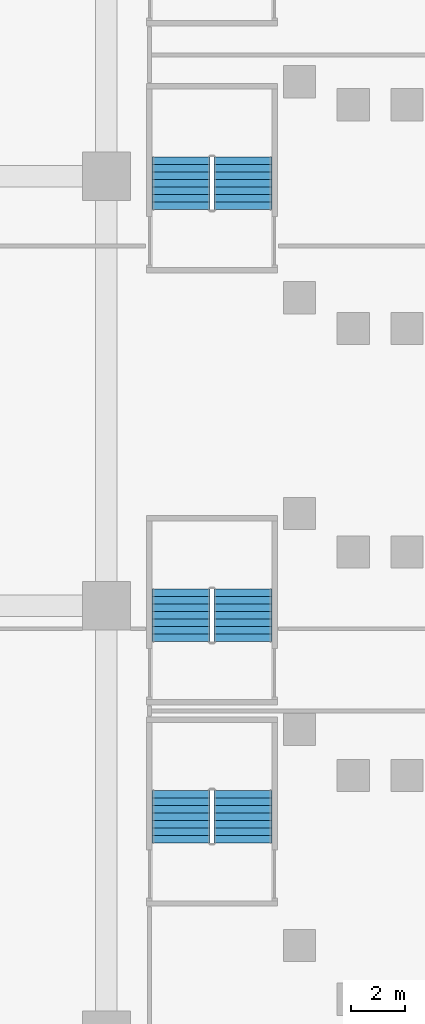
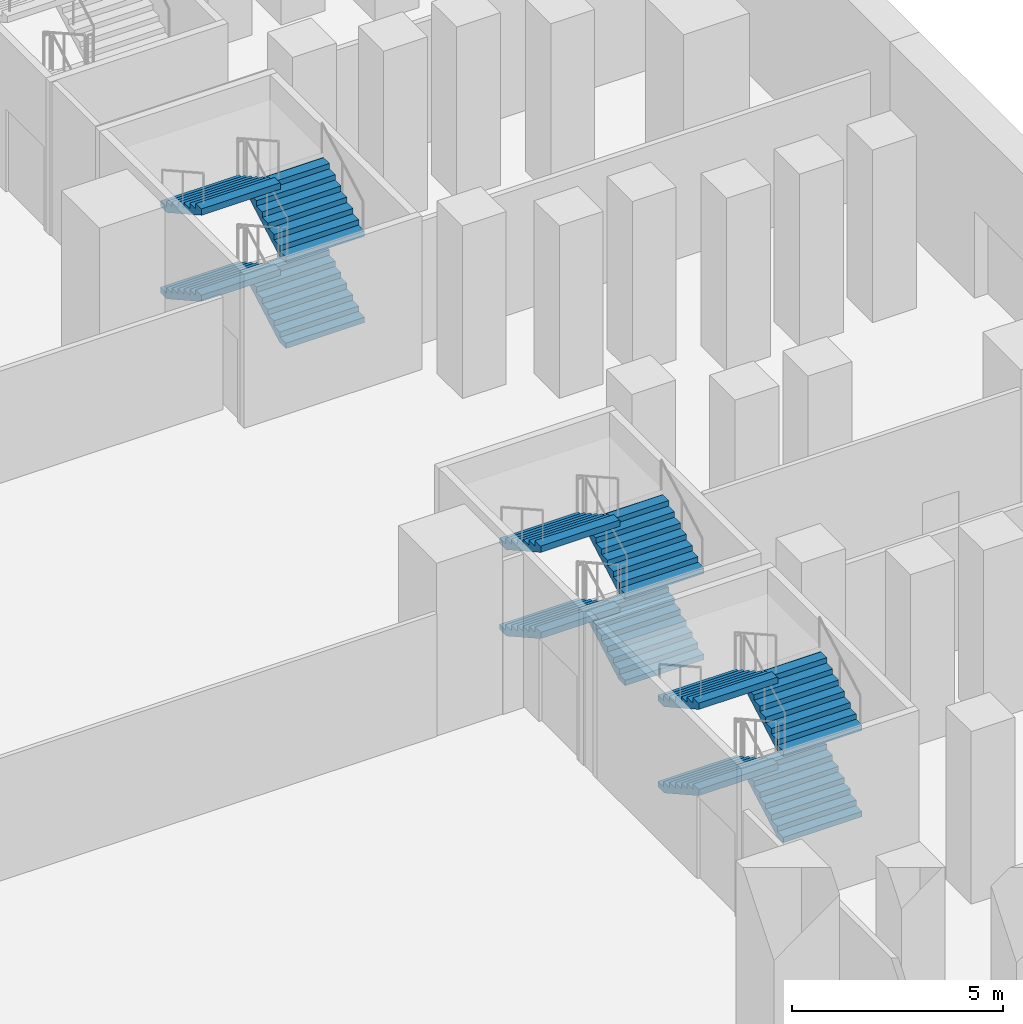
# One storey, part 16 of 24: 12 stair flights, 3 elements without a shape of their own.
"""IFC4 building model written with IfcOpenShell, lengths in metres."""

import ifcopenshell
import ifcopenshell.guid

model = None  # the IFC model being written
_history = None  # IfcOwnerHistory: only IFC2X3 demands one
_inside = {}  # id of a spatial element -> (the spatial element, [elements in it])
_under = {}  # id of a project, library or spatial element -> (it, [spatial elements below it])
_declared = {}  # id of a project -> (the project, [libraries it declares])
_typed = {}  # id of a type object -> (the type object, [elements of that type])
_made_of = {}  # id of a material, layer set ... -> (it, [elements and type objects made of it])


def new_model(schema):
    """Start an empty IFC model of exactly this schema.

    Asked for "IFC4X3", IfcOpenShell would pick the latest addendum, in which some entities
    have other attributes; the version numbers below select the first issue.
    IFC2X3 requires an IfcOwnerHistory on every rooted entity: one is made here for all.
    """
    global model, _history
    if schema == "IFC4X3":
        model = ifcopenshell.file(schema_version=(4, 3, 0, 0))
    else:
        model = ifcopenshell.file(schema=schema)
    _inside.clear()
    _under.clear()
    _declared.clear()
    _typed.clear()
    _made_of.clear()
    _history = None
    if model.schema == "IFC2X3":
        org = make("IfcOrganization", Name="unknown")
        user = make(
            "IfcPersonAndOrganization",
            ThePerson=make("IfcPerson", FamilyName="unknown"),
            TheOrganization=org,
        )
        app = make(
            "IfcApplication",
            ApplicationDeveloper=org,
            Version="unknown",
            ApplicationFullName="unknown",
            ApplicationIdentifier="unknown",
        )
        _history = make(
            "IfcOwnerHistory",
            OwningUser=user,
            OwningApplication=app,
            ChangeAction="ADDED",
            CreationDate=0,
        )
    return model


def make(cls, **values):
    """One entity of the class cls with the attributes given. An attribute that is None is left unset."""
    return model.create_entity(
        cls, **{name: value for name, value in values.items() if value is not None}
    )


def rooted(cls, **values):
    """An entity with a GlobalId (a new one), such as an element, a storey or a relation."""
    return make(cls, GlobalId=ifcopenshell.guid.new(), OwnerHistory=_history, **values)


def si_unit(unit_type, name, prefix=None):
    """IfcSIUnit, for example si_unit("LENGTHUNIT", "METRE", prefix="MILLI")."""
    return make("IfcSIUnit", UnitType=unit_type, Prefix=prefix, Name=name)


def assignment(units):
    """IfcUnitAssignment: the units of a project."""
    return None if units is None else make("IfcUnitAssignment", Units=units)


def point(xyz):
    """IfcCartesianPoint."""
    return None if xyz is None else make("IfcCartesianPoint", Coordinates=xyz)


def direction(xyz):
    """IfcDirection."""
    return None if xyz is None else make("IfcDirection", DirectionRatios=xyz)


def frame(location, z_axis=None, x_axis=None):
    """IfcAxis2Placement3D, a coordinate frame: its origin and axes. An axis left out is left unset."""
    return make(
        "IfcAxis2Placement3D",
        Location=point(location),
        Axis=direction(z_axis),
        RefDirection=direction(x_axis),
    )


def origin():
    """The frame at (0, 0, 0) with its axes left unset."""
    return frame((0.0, 0.0, 0.0))


def place(relative_to, where):
    """IfcLocalPlacement: puts the frame where relative to a parent placement (None: the world)."""
    return make(
        "IfcLocalPlacement", PlacementRelTo=relative_to, RelativePlacement=where
    )


def context(
    kind, dimensions, precision=None, world=None, true_north=None, identifier=None
):
    """IfcGeometricRepresentationContext, for example the 3D "Model" context."""
    return make(
        "IfcGeometricRepresentationContext",
        ContextIdentifier=identifier,
        ContextType=kind,
        CoordinateSpaceDimension=dimensions,
        Precision=precision,
        WorldCoordinateSystem=world,
        TrueNorth=true_north,
    )


def subcontext(parent, identifier, kind, view, scale=None):
    """IfcGeometricRepresentationSubContext, for example "Body" below "Model"."""
    return make(
        "IfcGeometricRepresentationSubContext",
        ContextIdentifier=identifier,
        ContextType=kind,
        ParentContext=parent,
        TargetScale=scale,
        TargetView=view,
    )


def project(units=None, contexts=None):
    """IfcProject with its units and contexts."""
    return rooted(
        "IfcProject",
        Name="project",
        RepresentationContexts=contexts,
        UnitsInContext=assignment(units),
    )


def spatial(cls, under=None, at=None, **own):
    """A site, building, storey or space (cls), placed at a placement, below another one or the project."""
    s = rooted(cls, ObjectPlacement=at, **own)
    if under is not None:
        _under.setdefault(under.id(), (under, []))[1].append(s)
    return s


def faces_of(points, faces, orient=None, outer=None):
    """IfcFace entities. A face is a list of loops; a loop is a list of indices into points, from 0.

    orient and outer hold one flag for each loop. By default every Orientation is true, the
    first loop of a face is its IfcFaceOuterBound and the others are IfcFaceBound.
    """
    made = []
    for i, loops in enumerate(faces):
        bounds = []
        for j, loop in enumerate(loops):
            is_outer = j == 0 if outer is None else outer[i][j]
            bounds.append(
                make(
                    "IfcFaceOuterBound" if is_outer else "IfcFaceBound",
                    Bound=make("IfcPolyLoop", Polygon=[points[k] for k in loop]),
                    Orientation=True if orient is None else orient[i][j],
                )
            )
        made.append(make("IfcFace", Bounds=bounds))
    return made


def faceted_brep(points, faces, orient=None, outer=None, voids=None):
    """IfcFacetedBrep: a solid bounded by flat faces; with voids (closed shells), ...WithVoids."""
    shared = [point(p) for p in points]
    hull = make("IfcClosedShell", CfsFaces=faces_of(shared, faces, orient, outer))
    if voids is None:
        return make("IfcFacetedBrep", Outer=hull)
    return make(
        "IfcFacetedBrepWithVoids",
        Outer=hull,
        Voids=[
            make(cls, CfsFaces=faces_of(shared, fs, o, b)) for cls, fs, o, b in voids
        ],
    )


def shape(context_of_items, identifier, shape_type, items):
    """IfcShapeRepresentation: the items that make up one representation, for example the "Body"."""
    return make(
        "IfcShapeRepresentation",
        ContextOfItems=context_of_items,
        RepresentationIdentifier=identifier,
        RepresentationType=shape_type,
        Items=items,
    )


def source(mapping_origin, context_of_items, identifier, shape_type, items):
    """IfcRepresentationMap: a shape defined once, which mapped items show again and again."""
    return make(
        "IfcRepresentationMap",
        MappingOrigin=mapping_origin,
        MappedRepresentation=shape(context_of_items, identifier, shape_type, items),
    )


def transform(
    local_origin,
    x_axis=None,
    y_axis=None,
    z_axis=None,
    scale=None,
    scale2=None,
    scale3=None,
    uniform=True,
):
    """IfcCartesianTransformationOperator3D, or its non-uniform kind. x_axis, y_axis, z_axis: its Axis1, 2, 3."""
    if uniform:
        return make(
            "IfcCartesianTransformationOperator3D",
            Axis1=direction(x_axis),
            Axis2=direction(y_axis),
            LocalOrigin=point(local_origin),
            Scale=scale,
            Axis3=direction(z_axis),
        )
    return make(
        "IfcCartesianTransformationOperator3DnonUniform",
        Axis1=direction(x_axis),
        Axis2=direction(y_axis),
        LocalOrigin=point(local_origin),
        Scale=scale,
        Axis3=direction(z_axis),
        Scale2=scale2,
        Scale3=scale3,
    )


def mapped(mapping_source, mapping_target):
    """IfcMappedItem: shows the shape of a source again, moved by a transform."""
    return make(
        "IfcMappedItem", MappingSource=mapping_source, MappingTarget=mapping_target
    )


def material(Name=None, Category=None):
    """IfcMaterial."""
    return make("IfcMaterial", Name=Name, Category=Category)


def made_of(thing, what):
    """Note that an element or type object is made of a material, layer set ...; save() writes the relation."""
    if what is not None:
        _made_of.setdefault(what.id(), (what, []))[1].append(thing)
    return thing


def type_object(cls, material=None, **own):
    """A type object (cls), such as IfcWallType, which elements share."""
    return made_of(rooted(cls, **own), material)


def element(
    cls,
    number,
    at=None,
    inside=None,
    cuts=None,
    type_object=None,
    material=None,
    context=None,
    identifier="Body",
    shape_type=None,
    held_by="IfcProductDefinitionShape",
    body=None,
    shapes=None,
    **own,
):
    """One element of the class cls, such as IfcWall. Its Tag is "e" and its number.

    at: its placement. inside: the storey or other place that contains it. cuts: it is an
    opening in that element (IfcRelVoidsElement). A single representation is given by context,
    identifier, shape_type and body (its items); several are given by shapes. held_by: the class
    of the entity that holds the representations. save() writes the other relations.
    """
    e = rooted(cls, Tag="e%d" % number, ObjectPlacement=at, **own)
    if body is not None:
        shapes = [shape(context, identifier, shape_type, body)]
    if shapes is not None:
        e.Representation = make(held_by, Representations=shapes)
    if inside is not None:
        _inside.setdefault(inside.id(), (inside, []))[1].append(e)
    if cuts is not None:
        rooted(
            "IfcRelVoidsElement", RelatingBuildingElement=cuts, RelatedOpeningElement=e
        )
    if type_object is not None:
        _typed.setdefault(type_object.id(), (type_object, []))[1].append(e)
    return made_of(e, material)


def aggregate(whole, parts):
    """IfcRelAggregates: a whole, such as a stair, and the parts it consists of."""
    return rooted("IfcRelAggregates", RelatingObject=whole, RelatedObjects=parts)


def save(model, path):
    """Write the relations noted so far, then the file.

    IfcRelAggregates (storeys below a building ...), IfcRelContainedInSpatialStructure (elements
    in a storey), IfcRelDefinesByType, IfcRelAssociatesMaterial and IfcRelDeclares: one each for
    every whole, place, type object, material and project.
    """
    for whole, parts in _under.values():
        aggregate(whole, parts)
    for where, things in _inside.values():
        rooted(
            "IfcRelContainedInSpatialStructure",
            RelatedElements=things,
            RelatingStructure=where,
        )
    for kind, things in _typed.values():
        rooted("IfcRelDefinesByType", RelatedObjects=things, RelatingType=kind)
    for what, things in _made_of.values():
        rooted("IfcRelAssociatesMaterial", RelatedObjects=things, RelatingMaterial=what)
    for by, libraries in _declared.values():
        rooted("IfcRelDeclares", RelatingContext=by, RelatedDefinitions=libraries)
    model.write(path)


model = new_model("IFC4")

# Units and contexts
model_context = context("Model", 3, precision=1e-05, world=origin(), true_north=direction((0.0, 1.0)))
body_context = subcontext(model_context, "Body", "Model", "MODEL_VIEW")
ifc_project = project(units=[si_unit("LENGTHUNIT", "METRE"), si_unit("AREAUNIT", "SQUARE_METRE"), si_unit("VOLUMEUNIT", "CUBIC_METRE"), si_unit("PLANEANGLEUNIT", "RADIAN"), si_unit("MASSUNIT", "GRAM", prefix="KILO")], contexts=[model_context])

# Site, building, storey
site_placement = place(None, origin())
site = spatial("IfcSite", under=ifc_project, at=site_placement, CompositionType="ELEMENT")
building_placement = place(site_placement, origin())
building = spatial("IfcBuilding", under=site, at=building_placement, Name="Calabash Gate Tower", CompositionType="ELEMENT")
storey_placement = place(building_placement, frame((0.0, 0.0, -5.0)))
storey = spatial("IfcBuildingStorey", under=building, at=storey_placement, Name="B1", CompositionType="ELEMENT", Elevation=-5.0)

# Stair, stair flights
ifc_material_1 = material(Name="Concrete C40/50", Category="concrete")
stair_type = type_object("IfcStairType", Name="Public stair 32 risers of 156.2 mm", PredefinedType="HALF_TURN_STAIR", material=ifc_material_1)
stair_1_placement = place(storey_placement, origin())
stair_1 = element("IfcStair", 1, at=stair_1_placement, inside=storey, type_object=stair_type, Name="B1 Public Stair PS6", PredefinedType="HALF_TURN_STAIR")
ifc_material_2 = material(Name="Concrete C40/50", Category="concrete")
stair_flight_type = type_object("IfcStairFlightType", Name="Exit stair flight SFL", PredefinedType="STRAIGHT", material=ifc_material_2)
shared_shape = source(origin(), body_context, "Body", "Brep", [
    faceted_brep([(-0.0009765625, -1.080078125, 0.0), (0.306884765625, -1.080078125, 0.0), (1.9541015625, -1.080078125, 0.921875), (-0.0009765625, 1.080078125, 0.0), (1.9541015625, 1.080078125, 0.921875), (0.306884765625, 1.080078125, 0.0), (1.9541015625, -1.080078125, 1.105712890625), (1.952880859375, -1.080078125, 1.105712890625), (1.952880859375, 1.080078125, 1.105712890625), (1.9541015625, 1.080078125, 1.105712890625), (1.952880859375, -1.080078125, 1.09375), (1.952880859375, 1.080078125, 1.09375), (1.674072265625, -1.080078125, 1.09375), (1.674072265625, 1.080078125, 1.09375), (1.674072265625, -1.080078125, 0.9375), (1.674072265625, 1.080078125, 0.9375), (1.39501953125, -1.080078125, 0.9375), (1.39501953125, 1.080078125, 0.9375), (1.39501953125, -1.080078125, 0.78125), (1.39501953125, 1.080078125, 0.78125), (1.115966796875, -1.080078125, 0.78125), (1.115966796875, -1.080078125, 0.625), (1.115966796875, 1.080078125, 0.625), (1.115966796875, 1.080078125, 0.78125), (0.8369140625, -1.080078125, 0.625), (0.8369140625, -1.080078125, 0.46875), (0.8369140625, 1.080078125, 0.46875), (0.8369140625, 1.080078125, 0.625), (0.55810546875, -1.080078125, 0.46875), (0.55810546875, -1.080078125, 0.3125), (0.55810546875, 1.080078125, 0.3125), (0.55810546875, 1.080078125, 0.46875), (0.279052734375, -1.080078125, 0.3125), (0.279052734375, -1.080078125, 0.15625), (0.279052734375, 1.080078125, 0.15625), (0.279052734375, 1.080078125, 0.3125), (-0.0009765625, -1.080078125, 0.15625), (-0.0009765625, 1.080078125, 0.15625), (0.306884765625, -0.431884765625, 0.0), (1.9541015625, -0.431884765625, 0.921875), (0.306884765625, -0.370361328125, 0.0), (1.9541015625, -0.370361328125, 0.921875), (0.306884765625, -0.30859375, 0.0), (1.9541015625, -0.30859375, 0.921875), (0.306884765625, -0.246826171875, 0.0), (1.9541015625, -0.246826171875, 0.921875), (0.306884765625, -0.18505859375, 0.0), (1.9541015625, -0.18505859375, 0.921875), (0.306884765625, -0.12353515625, 0.0), (1.9541015625, -0.12353515625, 0.921875), (0.306884765625, -0.061767578125, 0.0), (1.9541015625, -0.061767578125, 0.921875), (0.306884765625, 0.0, 0.0), (1.9541015625, 0.0, 0.921875), (0.306884765625, 0.061767578125, 0.0), (1.9541015625, 0.061767578125, 0.921875), (0.306884765625, 0.12353515625, 0.0), (1.9541015625, 0.12353515625, 0.921875), (0.306884765625, 0.18505859375, 0.0), (1.9541015625, 0.18505859375, 0.921875), (0.306884765625, 0.246826171875, 0.0), (1.9541015625, 0.246826171875, 0.921875), (0.306884765625, 0.30859375, 0.0), (1.9541015625, 0.30859375, 0.921875), (0.306884765625, 0.370361328125, 0.0), (1.9541015625, 0.370361328125, 0.921875), (0.306884765625, 0.431884765625, 0.0), (1.9541015625, 0.431884765625, 0.921875), (1.9541015625, -0.431884765625, 1.105712890625), (1.9541015625, -0.370361328125, 1.105712890625), (1.9541015625, -0.30859375, 1.105712890625), (1.9541015625, -0.246826171875, 1.105712890625), (1.9541015625, -0.18505859375, 1.105712890625), (1.9541015625, -0.12353515625, 1.105712890625), (1.9541015625, -0.061767578125, 1.105712890625), (1.9541015625, 0.0, 1.105712890625), (1.9541015625, 0.061767578125, 1.105712890625), (1.9541015625, 0.12353515625, 1.105712890625), (1.9541015625, 0.18505859375, 1.105712890625), (1.9541015625, 0.246826171875, 1.105712890625), (1.9541015625, 0.30859375, 1.105712890625), (1.9541015625, 0.370361328125, 1.105712890625), (1.9541015625, 0.431884765625, 1.105712890625), (1.952880859375, -0.431884765625, 1.105712890625), (1.952880859375, -0.370361328125, 1.105712890625), (1.952880859375, -0.30859375, 1.105712890625), (1.952880859375, -0.246826171875, 1.105712890625), (1.952880859375, -0.18505859375, 1.105712890625), (1.952880859375, -0.12353515625, 1.105712890625), (1.952880859375, -0.061767578125, 1.105712890625), (1.952880859375, 0.0, 1.105712890625), (1.952880859375, 0.061767578125, 1.105712890625), (1.952880859375, 0.12353515625, 1.105712890625), (1.952880859375, 0.18505859375, 1.105712890625), (1.952880859375, 0.246826171875, 1.105712890625), (1.952880859375, 0.30859375, 1.105712890625), (1.952880859375, 0.370361328125, 1.105712890625), (1.952880859375, 0.431884765625, 1.105712890625), (1.952880859375, -0.431884765625, 1.09375), (1.952880859375, -0.370361328125, 1.09375), (1.952880859375, -0.30859375, 1.09375), (1.952880859375, -0.246826171875, 1.09375), (1.952880859375, -0.18505859375, 1.09375), (1.952880859375, -0.12353515625, 1.09375), (1.952880859375, -0.061767578125, 1.09375), (1.952880859375, 0.0, 1.09375), (1.952880859375, 0.061767578125, 1.09375), (1.952880859375, 0.12353515625, 1.09375), (1.952880859375, 0.18505859375, 1.09375), (1.952880859375, 0.246826171875, 1.09375), (1.952880859375, 0.30859375, 1.09375), (1.952880859375, 0.370361328125, 1.09375), (1.952880859375, 0.431884765625, 1.09375), (1.674072265625, -0.431884765625, 1.09375), (1.674072265625, -0.370361328125, 1.09375), (1.674072265625, -0.30859375, 1.09375), (1.674072265625, -0.246826171875, 1.09375), (1.674072265625, -0.18505859375, 1.09375), (1.674072265625, -0.12353515625, 1.09375), (1.674072265625, -0.061767578125, 1.09375), (1.674072265625, 0.0, 1.09375), (1.674072265625, 0.061767578125, 1.09375), (1.674072265625, 0.12353515625, 1.09375), (1.674072265625, 0.18505859375, 1.09375), (1.674072265625, 0.246826171875, 1.09375), (1.674072265625, 0.30859375, 1.09375), (1.674072265625, 0.370361328125, 1.09375), (1.674072265625, 0.431884765625, 1.09375), (1.674072265625, -0.431884765625, 0.9375), (1.674072265625, -0.370361328125, 0.9375), (1.674072265625, -0.30859375, 0.9375), (1.674072265625, -0.246826171875, 0.9375), (1.674072265625, -0.18505859375, 0.9375), (1.674072265625, -0.12353515625, 0.9375), (1.674072265625, -0.061767578125, 0.9375), (1.674072265625, 0.0, 0.9375), (1.674072265625, 0.061767578125, 0.9375), (1.674072265625, 0.12353515625, 0.9375), (1.674072265625, 0.18505859375, 0.9375), (1.674072265625, 0.246826171875, 0.9375), (1.674072265625, 0.30859375, 0.9375), (1.674072265625, 0.370361328125, 0.9375), (1.674072265625, 0.431884765625, 0.9375), (1.39501953125, -0.431884765625, 0.9375), (1.39501953125, -0.370361328125, 0.9375), (1.39501953125, -0.30859375, 0.9375), (1.39501953125, -0.246826171875, 0.9375), (1.39501953125, -0.18505859375, 0.9375), (1.39501953125, -0.12353515625, 0.9375), (1.39501953125, -0.061767578125, 0.9375), (1.39501953125, 0.0, 0.9375), (1.39501953125, 0.061767578125, 0.9375), (1.39501953125, 0.12353515625, 0.9375), (1.39501953125, 0.18505859375, 0.9375), (1.39501953125, 0.246826171875, 0.9375), (1.39501953125, 0.30859375, 0.9375), (1.39501953125, 0.370361328125, 0.9375), (1.39501953125, 0.431884765625, 0.9375), (1.39501953125, -0.431884765625, 0.78125), (1.39501953125, -0.370361328125, 0.78125), (1.39501953125, -0.30859375, 0.78125), (1.39501953125, -0.246826171875, 0.78125), (1.39501953125, -0.18505859375, 0.78125), (1.39501953125, -0.12353515625, 0.78125), (1.39501953125, -0.061767578125, 0.78125), (1.39501953125, 0.0, 0.78125), (1.39501953125, 0.061767578125, 0.78125), (1.39501953125, 0.12353515625, 0.78125), (1.39501953125, 0.18505859375, 0.78125), (1.39501953125, 0.246826171875, 0.78125), (1.39501953125, 0.30859375, 0.78125), (1.39501953125, 0.370361328125, 0.78125), (1.39501953125, 0.431884765625, 0.78125), (1.115966796875, -0.431884765625, 0.78125), (1.115966796875, -0.370361328125, 0.78125), (1.115966796875, -0.30859375, 0.78125), (1.115966796875, -0.246826171875, 0.78125), (1.115966796875, -0.18505859375, 0.78125), (1.115966796875, -0.12353515625, 0.78125), (1.115966796875, -0.061767578125, 0.78125), (1.115966796875, 0.0, 0.78125), (1.115966796875, 0.061767578125, 0.78125), (1.115966796875, 0.12353515625, 0.78125), (1.115966796875, 0.18505859375, 0.78125), (1.115966796875, 0.246826171875, 0.78125), (1.115966796875, 0.30859375, 0.78125), (1.115966796875, 0.370361328125, 0.78125), (1.115966796875, 0.431884765625, 0.78125), (1.115966796875, -0.431884765625, 0.625), (1.115966796875, -0.370361328125, 0.625), (1.115966796875, -0.30859375, 0.625), (1.115966796875, -0.246826171875, 0.625), (1.115966796875, -0.18505859375, 0.625), (1.115966796875, -0.12353515625, 0.625), (1.115966796875, -0.061767578125, 0.625), (1.115966796875, 0.0, 0.625), (1.115966796875, 0.061767578125, 0.625), (1.115966796875, 0.12353515625, 0.625), (1.115966796875, 0.18505859375, 0.625), (1.115966796875, 0.246826171875, 0.625), (1.115966796875, 0.30859375, 0.625), (1.115966796875, 0.370361328125, 0.625), (1.115966796875, 0.431884765625, 0.625), (0.8369140625, -0.431884765625, 0.625), (0.8369140625, -0.370361328125, 0.625), (0.8369140625, -0.30859375, 0.625), (0.8369140625, -0.246826171875, 0.625), (0.8369140625, -0.18505859375, 0.625), (0.8369140625, -0.12353515625, 0.625), (0.8369140625, -0.061767578125, 0.625), (0.8369140625, 0.0, 0.625), (0.8369140625, 0.061767578125, 0.625), (0.8369140625, 0.12353515625, 0.625), (0.8369140625, 0.18505859375, 0.625), (0.8369140625, 0.246826171875, 0.625), (0.8369140625, 0.30859375, 0.625), (0.8369140625, 0.370361328125, 0.625), (0.8369140625, 0.431884765625, 0.625), (0.8369140625, -0.431884765625, 0.46875), (0.8369140625, -0.370361328125, 0.46875), (0.8369140625, -0.30859375, 0.46875), (0.8369140625, -0.246826171875, 0.46875), (0.8369140625, -0.18505859375, 0.46875), (0.8369140625, -0.12353515625, 0.46875), (0.8369140625, -0.061767578125, 0.46875), (0.8369140625, 0.0, 0.46875), (0.8369140625, 0.061767578125, 0.46875), (0.8369140625, 0.12353515625, 0.46875), (0.8369140625, 0.18505859375, 0.46875), (0.8369140625, 0.246826171875, 0.46875), (0.8369140625, 0.30859375, 0.46875), (0.8369140625, 0.370361328125, 0.46875), (0.8369140625, 0.431884765625, 0.46875), (0.55810546875, -0.431884765625, 0.46875), (0.55810546875, -0.370361328125, 0.46875), (0.55810546875, -0.30859375, 0.46875), (0.55810546875, -0.246826171875, 0.46875), (0.55810546875, -0.18505859375, 0.46875), (0.55810546875, -0.12353515625, 0.46875), (0.55810546875, -0.061767578125, 0.46875), (0.55810546875, 0.0, 0.46875), (0.55810546875, 0.061767578125, 0.46875), (0.55810546875, 0.12353515625, 0.46875), (0.55810546875, 0.18505859375, 0.46875), (0.55810546875, 0.246826171875, 0.46875), (0.55810546875, 0.30859375, 0.46875), (0.55810546875, 0.370361328125, 0.46875), (0.55810546875, 0.431884765625, 0.46875), (0.55810546875, -0.431884765625, 0.3125), (0.55810546875, -0.370361328125, 0.3125), (0.55810546875, -0.30859375, 0.3125), (0.55810546875, -0.246826171875, 0.3125), (0.55810546875, -0.18505859375, 0.3125), (0.55810546875, -0.12353515625, 0.3125), (0.55810546875, -0.061767578125, 0.3125), (0.55810546875, 0.0, 0.3125), (0.55810546875, 0.061767578125, 0.3125), (0.55810546875, 0.12353515625, 0.3125), (0.55810546875, 0.18505859375, 0.3125), (0.55810546875, 0.246826171875, 0.3125), (0.55810546875, 0.30859375, 0.3125), (0.55810546875, 0.370361328125, 0.3125), (0.55810546875, 0.431884765625, 0.3125), (0.279052734375, -0.431884765625, 0.3125), (0.279052734375, -0.370361328125, 0.3125), (0.279052734375, -0.30859375, 0.3125), (0.279052734375, -0.246826171875, 0.3125), (0.279052734375, -0.18505859375, 0.3125), (0.279052734375, -0.12353515625, 0.3125), (0.279052734375, -0.061767578125, 0.3125), (0.279052734375, 0.0, 0.3125), (0.279052734375, 0.061767578125, 0.3125), (0.279052734375, 0.12353515625, 0.3125), (0.279052734375, 0.18505859375, 0.3125), (0.279052734375, 0.246826171875, 0.3125), (0.279052734375, 0.30859375, 0.3125), (0.279052734375, 0.370361328125, 0.3125), (0.279052734375, 0.431884765625, 0.3125), (0.279052734375, -0.431884765625, 0.15625), (0.279052734375, -0.370361328125, 0.15625), (0.279052734375, -0.30859375, 0.15625), (0.279052734375, -0.246826171875, 0.15625), (0.279052734375, -0.18505859375, 0.15625), (0.279052734375, -0.12353515625, 0.15625), (0.279052734375, -0.061767578125, 0.15625), (0.279052734375, 0.0, 0.15625), (0.279052734375, 0.061767578125, 0.15625), (0.279052734375, 0.12353515625, 0.15625), (0.279052734375, 0.18505859375, 0.15625), (0.279052734375, 0.246826171875, 0.15625), (0.279052734375, 0.30859375, 0.15625), (0.279052734375, 0.370361328125, 0.15625), (0.279052734375, 0.431884765625, 0.15625), (-0.0009765625, -0.431884765625, 0.15625), (-0.0009765625, -0.370361328125, 0.15625), (-0.0009765625, -0.30859375, 0.15625), (-0.0009765625, -0.246826171875, 0.15625), (-0.0009765625, -0.18505859375, 0.15625), (-0.0009765625, -0.12353515625, 0.15625), (-0.0009765625, -0.061767578125, 0.15625), (-0.0009765625, 0.0, 0.15625), (-0.0009765625, 0.061767578125, 0.15625), (-0.0009765625, 0.12353515625, 0.15625), (-0.0009765625, 0.18505859375, 0.15625), (-0.0009765625, 0.246826171875, 0.15625), (-0.0009765625, 0.30859375, 0.15625), (-0.0009765625, 0.370361328125, 0.15625), (-0.0009765625, 0.431884765625, 0.15625), (-0.0009765625, -0.431884765625, 0.0), (-0.0009765625, -0.370361328125, 0.0), (-0.0009765625, -0.30859375, 0.0), (-0.0009765625, -0.246826171875, 0.0), (-0.0009765625, -0.18505859375, 0.0), (-0.0009765625, -0.12353515625, 0.0), (-0.0009765625, -0.061767578125, 0.0), (-0.0009765625, 0.0, 0.0), (-0.0009765625, 0.061767578125, 0.0), (-0.0009765625, 0.12353515625, 0.0), (-0.0009765625, 0.18505859375, 0.0), (-0.0009765625, 0.246826171875, 0.0), (-0.0009765625, 0.30859375, 0.0), (-0.0009765625, 0.370361328125, 0.0), (-0.0009765625, 0.431884765625, 0.0)], [[[0, 1, 2]], [[3, 4, 5]], [[2, 6, 7]], [[4, 8, 9]], [[2, 7, 10]], [[4, 11, 8]], [[2, 10, 12]], [[4, 13, 11]], [[2, 12, 14]], [[4, 15, 13]], [[2, 14, 16]], [[4, 17, 15]], [[2, 16, 18]], [[4, 19, 17]], [[18, 20, 21]], [[19, 22, 23]], [[2, 18, 21]], [[4, 22, 19]], [[21, 24, 25]], [[22, 26, 27]], [[2, 21, 25]], [[4, 26, 22]], [[25, 28, 29]], [[26, 30, 31]], [[2, 25, 29]], [[4, 30, 26]], [[29, 32, 33]], [[30, 34, 35]], [[2, 29, 33]], [[4, 34, 30]], [[0, 2, 33]], [[3, 34, 4]], [[33, 36, 0]], [[34, 3, 37]], [[1, 38, 2]], [[38, 39, 2]], [[38, 40, 39]], [[40, 41, 39]], [[40, 42, 41]], [[42, 43, 41]], [[42, 44, 43]], [[44, 45, 43]], [[44, 46, 45]], [[46, 47, 45]], [[46, 48, 47]], [[48, 49, 47]], [[48, 50, 49]], [[50, 51, 49]], [[50, 52, 51]], [[52, 53, 51]], [[52, 54, 55]], [[52, 55, 53]], [[54, 56, 57]], [[54, 57, 55]], [[56, 58, 59]], [[56, 59, 57]], [[58, 60, 61]], [[58, 61, 59]], [[60, 62, 63]], [[60, 63, 61]], [[62, 64, 65]], [[62, 65, 63]], [[64, 66, 67]], [[64, 67, 65]], [[66, 5, 4]], [[66, 4, 67]], [[2, 39, 6]], [[39, 68, 6]], [[39, 41, 68]], [[41, 69, 68]], [[41, 43, 69]], [[43, 70, 69]], [[43, 45, 70]], [[45, 71, 70]], [[45, 47, 71]], [[47, 72, 71]], [[47, 49, 72]], [[49, 73, 72]], [[49, 51, 73]], [[51, 74, 73]], [[51, 53, 74]], [[53, 75, 74]], [[53, 55, 76]], [[53, 76, 75]], [[55, 57, 77]], [[55, 77, 76]], [[57, 59, 78]], [[57, 78, 77]], [[59, 61, 79]], [[59, 79, 78]], [[61, 63, 80]], [[61, 80, 79]], [[63, 65, 81]], [[63, 81, 80]], [[65, 67, 82]], [[65, 82, 81]], [[67, 4, 9]], [[67, 9, 82]], [[6, 68, 7]], [[68, 83, 7]], [[68, 69, 83]], [[69, 84, 83]], [[69, 70, 84]], [[70, 85, 84]], [[70, 71, 85]], [[71, 86, 85]], [[71, 72, 86]], [[72, 87, 86]], [[72, 73, 87]], [[73, 88, 87]], [[73, 74, 88]], [[74, 89, 88]], [[74, 75, 89]], [[75, 90, 89]], [[75, 76, 91]], [[75, 91, 90]], [[76, 77, 92]], [[76, 92, 91]], [[77, 78, 93]], [[77, 93, 92]], [[78, 79, 94]], [[78, 94, 93]], [[79, 80, 95]], [[79, 95, 94]], [[80, 81, 96]], [[80, 96, 95]], [[81, 82, 97]], [[81, 97, 96]], [[82, 9, 8]], [[82, 8, 97]], [[7, 83, 10]], [[83, 98, 10]], [[83, 84, 98]], [[84, 99, 98]], [[84, 85, 99]], [[85, 100, 99]], [[85, 86, 100]], [[86, 101, 100]], [[86, 87, 101]], [[87, 102, 101]], [[87, 88, 102]], [[88, 103, 102]], [[88, 89, 103]], [[89, 104, 103]], [[89, 90, 104]], [[90, 105, 104]], [[90, 91, 106]], [[90, 106, 105]], [[91, 92, 107]], [[91, 107, 106]], [[92, 93, 108]], [[92, 108, 107]], [[93, 94, 109]], [[93, 109, 108]], [[94, 95, 110]], [[94, 110, 109]], [[95, 96, 111]], [[95, 111, 110]], [[96, 97, 112]], [[96, 112, 111]], [[97, 8, 11]], [[97, 11, 112]], [[10, 98, 12]], [[98, 113, 12]], [[98, 99, 113]], [[99, 114, 113]], [[99, 100, 114]], [[100, 115, 114]], [[100, 101, 115]], [[101, 116, 115]], [[101, 102, 116]], [[102, 117, 116]], [[102, 103, 117]], [[103, 118, 117]], [[103, 104, 118]], [[104, 119, 118]], [[104, 105, 119]], [[105, 120, 119]], [[105, 106, 121]], [[105, 121, 120]], [[106, 107, 122]], [[106, 122, 121]], [[107, 108, 123]], [[107, 123, 122]], [[108, 109, 124]], [[108, 124, 123]], [[109, 110, 125]], [[109, 125, 124]], [[110, 111, 126]], [[110, 126, 125]], [[111, 112, 127]], [[111, 127, 126]], [[112, 11, 13]], [[112, 13, 127]], [[12, 113, 14]], [[113, 128, 14]], [[113, 114, 128]], [[114, 129, 128]], [[114, 115, 129]], [[115, 130, 129]], [[115, 116, 130]], [[116, 131, 130]], [[116, 117, 131]], [[117, 132, 131]], [[117, 118, 132]], [[118, 133, 132]], [[118, 119, 133]], [[119, 134, 133]], [[119, 120, 134]], [[120, 135, 134]], [[120, 121, 136]], [[120, 136, 135]], [[121, 122, 137]], [[121, 137, 136]], [[122, 123, 138]], [[122, 138, 137]], [[123, 124, 139]], [[123, 139, 138]], [[124, 125, 140]], [[124, 140, 139]], [[125, 126, 141]], [[125, 141, 140]], [[126, 127, 142]], [[126, 142, 141]], [[127, 13, 15]], [[127, 15, 142]], [[14, 128, 16]], [[128, 143, 16]], [[128, 129, 143]], [[129, 144, 143]], [[129, 130, 144]], [[130, 145, 144]], [[130, 131, 145]], [[131, 146, 145]], [[131, 132, 146]], [[132, 147, 146]], [[132, 133, 147]], [[133, 148, 147]], [[133, 134, 148]], [[134, 149, 148]], [[134, 135, 149]], [[135, 150, 149]], [[135, 136, 151]], [[135, 151, 150]], [[136, 137, 152]], [[136, 152, 151]], [[137, 138, 153]], [[137, 153, 152]], [[138, 139, 154]], [[138, 154, 153]], [[139, 140, 155]], [[139, 155, 154]], [[140, 141, 156]], [[140, 156, 155]], [[141, 142, 157]], [[141, 157, 156]], [[142, 15, 17]], [[142, 17, 157]], [[16, 143, 18]], [[143, 158, 18]], [[143, 144, 158]], [[144, 159, 158]], [[144, 145, 159]], [[145, 160, 159]], [[145, 146, 160]], [[146, 161, 160]], [[146, 147, 161]], [[147, 162, 161]], [[147, 148, 162]], [[148, 163, 162]], [[148, 149, 163]], [[149, 164, 163]], [[149, 150, 164]], [[150, 165, 164]], [[150, 151, 166]], [[150, 166, 165]], [[151, 152, 167]], [[151, 167, 166]], [[152, 153, 168]], [[152, 168, 167]], [[153, 154, 169]], [[153, 169, 168]], [[154, 155, 170]], [[154, 170, 169]], [[155, 156, 171]], [[155, 171, 170]], [[156, 157, 172]], [[156, 172, 171]], [[157, 17, 19]], [[157, 19, 172]], [[18, 158, 20]], [[158, 173, 20]], [[158, 159, 173]], [[159, 174, 173]], [[159, 160, 174]], [[160, 175, 174]], [[160, 161, 175]], [[161, 176, 175]], [[161, 162, 176]], [[162, 177, 176]], [[162, 163, 177]], [[163, 178, 177]], [[163, 164, 178]], [[164, 179, 178]], [[164, 165, 179]], [[165, 180, 179]], [[165, 166, 181]], [[165, 181, 180]], [[166, 167, 182]], [[166, 182, 181]], [[167, 168, 183]], [[167, 183, 182]], [[168, 169, 184]], [[168, 184, 183]], [[169, 170, 185]], [[169, 185, 184]], [[170, 171, 186]], [[170, 186, 185]], [[171, 172, 187]], [[171, 187, 186]], [[172, 19, 23]], [[172, 23, 187]], [[20, 173, 21]], [[173, 188, 21]], [[173, 174, 188]], [[174, 189, 188]], [[174, 175, 189]], [[175, 190, 189]], [[175, 176, 190]], [[176, 191, 190]], [[176, 177, 191]], [[177, 192, 191]], [[177, 178, 192]], [[178, 193, 192]], [[178, 179, 193]], [[179, 194, 193]], [[179, 180, 194]], [[180, 195, 194]], [[180, 181, 196]], [[180, 196, 195]], [[181, 182, 197]], [[181, 197, 196]], [[182, 183, 198]], [[182, 198, 197]], [[183, 184, 199]], [[183, 199, 198]], [[184, 185, 200]], [[184, 200, 199]], [[185, 186, 201]], [[185, 201, 200]], [[186, 187, 202]], [[186, 202, 201]], [[187, 23, 22]], [[187, 22, 202]], [[21, 188, 24]], [[188, 203, 24]], [[188, 189, 203]], [[189, 204, 203]], [[189, 190, 204]], [[190, 205, 204]], [[190, 191, 205]], [[191, 206, 205]], [[191, 192, 206]], [[192, 207, 206]], [[192, 193, 207]], [[193, 208, 207]], [[193, 194, 208]], [[194, 209, 208]], [[194, 195, 209]], [[195, 210, 209]], [[195, 196, 211]], [[195, 211, 210]], [[196, 197, 212]], [[196, 212, 211]], [[197, 198, 213]], [[197, 213, 212]], [[198, 199, 214]], [[198, 214, 213]], [[199, 200, 215]], [[199, 215, 214]], [[200, 201, 216]], [[200, 216, 215]], [[201, 202, 217]], [[201, 217, 216]], [[202, 22, 27]], [[202, 27, 217]], [[24, 203, 25]], [[203, 218, 25]], [[203, 204, 218]], [[204, 219, 218]], [[204, 205, 219]], [[205, 220, 219]], [[205, 206, 220]], [[206, 221, 220]], [[206, 207, 221]], [[207, 222, 221]], [[207, 208, 222]], [[208, 223, 222]], [[208, 209, 223]], [[209, 224, 223]], [[209, 210, 224]], [[210, 225, 224]], [[210, 211, 226]], [[210, 226, 225]], [[211, 212, 227]], [[211, 227, 226]], [[212, 213, 228]], [[212, 228, 227]], [[213, 214, 229]], [[213, 229, 228]], [[214, 215, 230]], [[214, 230, 229]], [[215, 216, 231]], [[215, 231, 230]], [[216, 217, 232]], [[216, 232, 231]], [[217, 27, 26]], [[217, 26, 232]], [[25, 218, 28]], [[218, 233, 28]], [[218, 219, 233]], [[219, 234, 233]], [[219, 220, 234]], [[220, 235, 234]], [[220, 221, 235]], [[221, 236, 235]], [[221, 222, 236]], [[222, 237, 236]], [[222, 223, 237]], [[223, 238, 237]], [[223, 224, 238]], [[224, 239, 238]], [[224, 225, 239]], [[225, 240, 239]], [[225, 226, 241]], [[225, 241, 240]], [[226, 227, 242]], [[226, 242, 241]], [[227, 228, 243]], [[227, 243, 242]], [[228, 229, 244]], [[228, 244, 243]], [[229, 230, 245]], [[229, 245, 244]], [[230, 231, 246]], [[230, 246, 245]], [[231, 232, 247]], [[231, 247, 246]], [[232, 26, 31]], [[232, 31, 247]], [[28, 233, 29]], [[233, 248, 29]], [[233, 234, 248]], [[234, 249, 248]], [[234, 235, 249]], [[235, 250, 249]], [[235, 236, 250]], [[236, 251, 250]], [[236, 237, 251]], [[237, 252, 251]], [[237, 238, 252]], [[238, 253, 252]], [[238, 239, 253]], [[239, 254, 253]], [[239, 240, 254]], [[240, 255, 254]], [[240, 241, 256]], [[240, 256, 255]], [[241, 242, 257]], [[241, 257, 256]], [[242, 243, 258]], [[242, 258, 257]], [[243, 244, 259]], [[243, 259, 258]], [[244, 245, 260]], [[244, 260, 259]], [[245, 246, 261]], [[245, 261, 260]], [[246, 247, 262]], [[246, 262, 261]], [[247, 31, 30]], [[247, 30, 262]], [[29, 248, 32]], [[248, 263, 32]], [[248, 249, 263]], [[249, 264, 263]], [[249, 250, 264]], [[250, 265, 264]], [[250, 251, 265]], [[251, 266, 265]], [[251, 252, 266]], [[252, 267, 266]], [[252, 253, 267]], [[253, 268, 267]], [[253, 254, 268]], [[254, 269, 268]], [[254, 255, 269]], [[255, 270, 269]], [[255, 256, 271]], [[255, 271, 270]], [[256, 257, 272]], [[256, 272, 271]], [[257, 258, 273]], [[257, 273, 272]], [[258, 259, 274]], [[258, 274, 273]], [[259, 260, 275]], [[259, 275, 274]], [[260, 261, 276]], [[260, 276, 275]], [[261, 262, 277]], [[261, 277, 276]], [[262, 30, 35]], [[262, 35, 277]], [[32, 263, 33]], [[263, 278, 33]], [[263, 264, 278]], [[264, 279, 278]], [[264, 265, 279]], [[265, 280, 279]], [[265, 266, 280]], [[266, 281, 280]], [[266, 267, 281]], [[267, 282, 281]], [[267, 268, 282]], [[268, 283, 282]], [[268, 269, 283]], [[269, 284, 283]], [[269, 270, 284]], [[270, 285, 284]], [[270, 271, 286]], [[270, 286, 285]], [[271, 272, 287]], [[271, 287, 286]], [[272, 273, 288]], [[272, 288, 287]], [[273, 274, 289]], [[273, 289, 288]], [[274, 275, 290]], [[274, 290, 289]], [[275, 276, 291]], [[275, 291, 290]], [[276, 277, 292]], [[276, 292, 291]], [[277, 35, 34]], [[277, 34, 292]], [[33, 278, 36]], [[278, 293, 36]], [[278, 279, 293]], [[279, 294, 293]], [[279, 280, 294]], [[280, 295, 294]], [[280, 281, 295]], [[281, 296, 295]], [[281, 282, 296]], [[282, 297, 296]], [[282, 283, 297]], [[283, 298, 297]], [[283, 284, 298]], [[284, 299, 298]], [[284, 285, 299]], [[285, 300, 299]], [[285, 286, 301]], [[285, 301, 300]], [[286, 287, 302]], [[286, 302, 301]], [[287, 288, 303]], [[287, 303, 302]], [[288, 289, 304]], [[288, 304, 303]], [[289, 290, 305]], [[289, 305, 304]], [[290, 291, 306]], [[290, 306, 305]], [[291, 292, 307]], [[291, 307, 306]], [[292, 34, 37]], [[292, 37, 307]], [[36, 293, 0]], [[293, 308, 0]], [[293, 294, 308]], [[294, 309, 308]], [[294, 295, 309]], [[295, 310, 309]], [[295, 296, 310]], [[296, 311, 310]], [[296, 297, 311]], [[297, 312, 311]], [[297, 298, 312]], [[298, 313, 312]], [[298, 299, 313]], [[299, 314, 313]], [[299, 300, 314]], [[300, 315, 314]], [[300, 301, 316]], [[300, 316, 315]], [[301, 302, 317]], [[301, 317, 316]], [[302, 303, 318]], [[302, 318, 317]], [[303, 304, 319]], [[303, 319, 318]], [[304, 305, 320]], [[304, 320, 319]], [[305, 306, 321]], [[305, 321, 320]], [[306, 307, 322]], [[306, 322, 321]], [[307, 37, 3]], [[307, 3, 322]], [[0, 308, 1]], [[308, 38, 1]], [[308, 309, 38]], [[309, 40, 38]], [[309, 310, 40]], [[310, 42, 40]], [[310, 311, 42]], [[311, 44, 42]], [[311, 312, 44]], [[312, 46, 44]], [[312, 313, 46]], [[313, 48, 46]], [[313, 314, 48]], [[314, 50, 48]], [[314, 315, 50]], [[315, 52, 50]], [[315, 316, 54]], [[315, 54, 52]], [[316, 317, 56]], [[316, 56, 54]], [[317, 318, 58]], [[317, 58, 56]], [[318, 319, 60]], [[318, 60, 58]], [[319, 320, 62]], [[319, 62, 60]], [[320, 321, 64]], [[320, 64, 62]], [[321, 322, 66]], [[321, 66, 64]], [[322, 3, 5]], [[322, 5, 66]]]),
])
stair_flight_1_placement = place(storey_placement, frame((37.090087890625, -32.840087890625, 0.0), z_axis=(0.0, 0.0, 1.0), x_axis=(0.0, 1.0, 0.0)))
stair_flight_1 = element("IfcStairFlight", 2, at=stair_flight_1_placement, type_object=stair_flight_type, Name="PS6 flight 1", NumberOfRisers=8, NumberOfTreads=7, PredefinedType="STRAIGHT", RiserHeight=0.15625, TreadLength=0.279, context=body_context, shape_type="MappedRepresentation", body=[
    mapped(shared_shape, transform((0.0, 0.0, 0.0), scale=1.0)),
])
stair_flight_2_placement = place(storey_placement, frame((34.780029296875, -30.886962890625, 1.25), z_axis=(0.0, 0.0, 1.0), x_axis=(0.0, -1.0, 0.0)))
stair_flight_2 = element("IfcStairFlight", 3, at=stair_flight_2_placement, type_object=stair_flight_type, Name="PS6 flight 2", NumberOfRisers=8, NumberOfTreads=7, PredefinedType="STRAIGHT", RiserHeight=0.15625, TreadLength=0.279, context=body_context, shape_type="MappedRepresentation", body=[
    mapped(shared_shape, transform((0.0, 0.0, 0.0), scale=1.0)),
])
stair_flight_3_placement = place(storey_placement, frame((37.090087890625, -32.840087890625, 2.5), z_axis=(0.0, 0.0, 1.0), x_axis=(0.0, 1.0, 0.0)))
stair_flight_3 = element("IfcStairFlight", 4, at=stair_flight_3_placement, type_object=stair_flight_type, Name="PS6 flight 3", NumberOfRisers=8, NumberOfTreads=7, PredefinedType="STRAIGHT", RiserHeight=0.15625, TreadLength=0.279, context=body_context, shape_type="MappedRepresentation", body=[
    mapped(shared_shape, transform((0.0, 0.0, 0.0), scale=1.0)),
])
stair_flight_4_placement = place(storey_placement, frame((34.780029296875, -30.886962890625, 3.75), z_axis=(0.0, 0.0, 1.0), x_axis=(0.0, -1.0, 0.0)))
stair_flight_4 = element("IfcStairFlight", 5, at=stair_flight_4_placement, type_object=stair_flight_type, Name="PS6 flight 4", NumberOfRisers=8, NumberOfTreads=7, PredefinedType="STRAIGHT", RiserHeight=0.15625, TreadLength=0.279, context=body_context, shape_type="MappedRepresentation", body=[
    mapped(shared_shape, transform((0.0, 0.0, 0.0), scale=1.0)),
])
aggregate(stair_1, [stair_flight_1, stair_flight_2, stair_flight_3, stair_flight_4])

stair_2_placement = place(storey_placement, origin())
stair_2 = element("IfcStair", 6, at=stair_2_placement, inside=storey, type_object=stair_type, Name="B1 Public Stair PS7", PredefinedType="HALF_TURN_STAIR")
stair_flight_5_placement = place(storey_placement, frame((37.090087890625, -25.340087890625, 0.0), z_axis=(0.0, 0.0, 1.0), x_axis=(0.0, 1.0, 0.0)))
stair_flight_5 = element("IfcStairFlight", 7, at=stair_flight_5_placement, type_object=stair_flight_type, Name="PS7 flight 1", NumberOfRisers=8, NumberOfTreads=7, PredefinedType="STRAIGHT", RiserHeight=0.15625, TreadLength=0.279, context=body_context, shape_type="MappedRepresentation", body=[
    mapped(shared_shape, transform((0.0, 0.0, 0.0), scale=1.0)),
])
stair_flight_6_placement = place(storey_placement, frame((34.780029296875, -23.386962890625, 1.25), z_axis=(0.0, 0.0, 1.0), x_axis=(0.0, -1.0, 0.0)))
stair_flight_6 = element("IfcStairFlight", 8, at=stair_flight_6_placement, type_object=stair_flight_type, Name="PS7 flight 2", NumberOfRisers=8, NumberOfTreads=7, PredefinedType="STRAIGHT", RiserHeight=0.15625, TreadLength=0.279, context=body_context, shape_type="MappedRepresentation", body=[
    mapped(shared_shape, transform((0.0, 0.0, 0.0), scale=1.0)),
])
stair_flight_7_placement = place(storey_placement, frame((37.090087890625, -25.340087890625, 2.5), z_axis=(0.0, 0.0, 1.0), x_axis=(0.0, 1.0, 0.0)))
stair_flight_7 = element("IfcStairFlight", 9, at=stair_flight_7_placement, type_object=stair_flight_type, Name="PS7 flight 3", NumberOfRisers=8, NumberOfTreads=7, PredefinedType="STRAIGHT", RiserHeight=0.15625, TreadLength=0.279, context=body_context, shape_type="MappedRepresentation", body=[
    mapped(shared_shape, transform((0.0, 0.0, 0.0), scale=1.0)),
])
stair_flight_8_placement = place(storey_placement, frame((34.780029296875, -23.386962890625, 3.75), z_axis=(0.0, 0.0, 1.0), x_axis=(0.0, -1.0, 0.0)))
stair_flight_8 = element("IfcStairFlight", 10, at=stair_flight_8_placement, type_object=stair_flight_type, Name="PS7 flight 4", NumberOfRisers=8, NumberOfTreads=7, PredefinedType="STRAIGHT", RiserHeight=0.15625, TreadLength=0.279, context=body_context, shape_type="MappedRepresentation", body=[
    mapped(shared_shape, transform((0.0, 0.0, 0.0), scale=1.0)),
])
aggregate(stair_2, [stair_flight_5, stair_flight_6, stair_flight_7, stair_flight_8])

stair_3_placement = place(storey_placement, origin())
stair_3 = element("IfcStair", 11, at=stair_3_placement, inside=storey, type_object=stair_type, Name="B1 Public Stair PS8", PredefinedType="HALF_TURN_STAIR")
stair_flight_9_placement = place(storey_placement, frame((37.090087890625, -9.239990234375, 0.0), z_axis=(0.0, 0.0, 1.0), x_axis=(0.0, 1.0, 0.0)))
stair_flight_9 = element("IfcStairFlight", 12, at=stair_flight_9_placement, type_object=stair_flight_type, Name="PS8 flight 1", NumberOfRisers=8, NumberOfTreads=7, PredefinedType="STRAIGHT", RiserHeight=0.15625, TreadLength=0.279, context=body_context, shape_type="MappedRepresentation", body=[
    mapped(shared_shape, transform((0.0, 0.0, 0.0), scale=1.0)),
])
stair_flight_10_placement = place(storey_placement, frame((34.780029296875, -7.287109375, 1.25), z_axis=(0.0, 0.0, 1.0), x_axis=(0.0, -1.0, 0.0)))
stair_flight_10 = element("IfcStairFlight", 13, at=stair_flight_10_placement, type_object=stair_flight_type, Name="PS8 flight 2", NumberOfRisers=8, NumberOfTreads=7, PredefinedType="STRAIGHT", RiserHeight=0.15625, TreadLength=0.279, context=body_context, shape_type="MappedRepresentation", body=[
    mapped(shared_shape, transform((0.0, 0.0, 0.0), scale=1.0)),
])
stair_flight_11_placement = place(storey_placement, frame((37.090087890625, -9.239990234375, 2.5), z_axis=(0.0, 0.0, 1.0), x_axis=(0.0, 1.0, 0.0)))
stair_flight_11 = element("IfcStairFlight", 14, at=stair_flight_11_placement, type_object=stair_flight_type, Name="PS8 flight 3", NumberOfRisers=8, NumberOfTreads=7, PredefinedType="STRAIGHT", RiserHeight=0.15625, TreadLength=0.279, context=body_context, shape_type="MappedRepresentation", body=[
    mapped(shared_shape, transform((0.0, 0.0, 0.0), scale=1.0)),
])
stair_flight_12_placement = place(storey_placement, frame((34.780029296875, -7.287109375, 3.75), z_axis=(0.0, 0.0, 1.0), x_axis=(0.0, -1.0, 0.0)))
stair_flight_12 = element("IfcStairFlight", 15, at=stair_flight_12_placement, type_object=stair_flight_type, Name="PS8 flight 4", NumberOfRisers=8, NumberOfTreads=7, PredefinedType="STRAIGHT", RiserHeight=0.15625, TreadLength=0.279, context=body_context, shape_type="MappedRepresentation", body=[
    mapped(shared_shape, transform((0.0, 0.0, 0.0), scale=1.0)),
])
aggregate(stair_3, [stair_flight_9, stair_flight_10, stair_flight_11, stair_flight_12])

save(model, "model.ifc")
